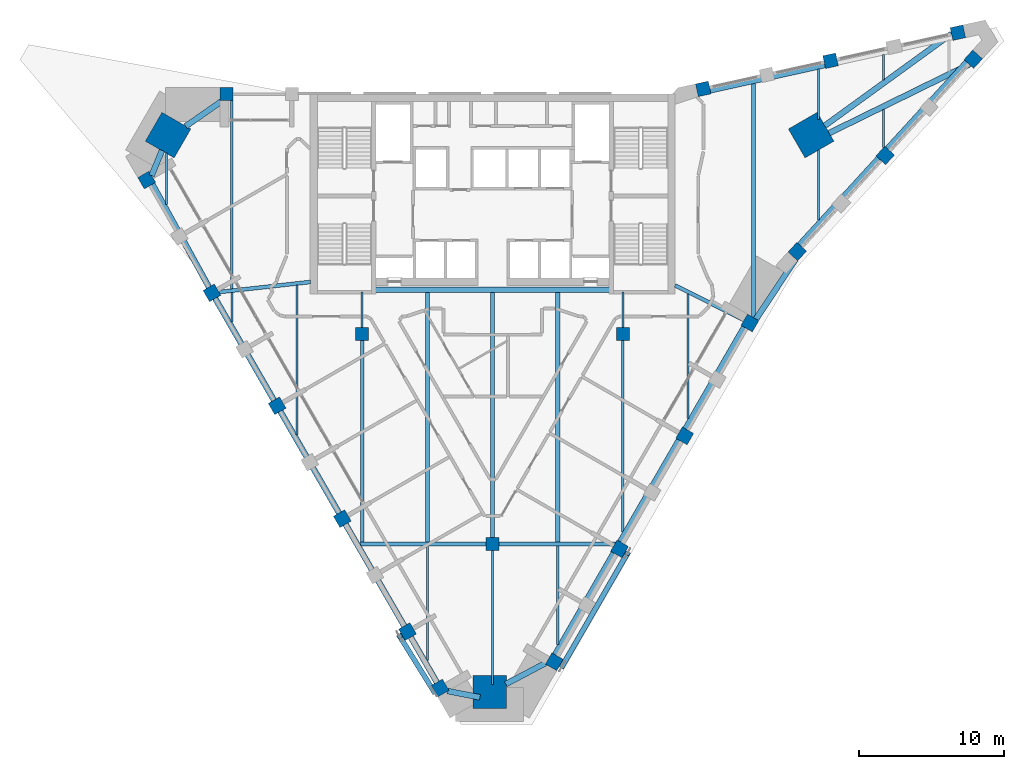
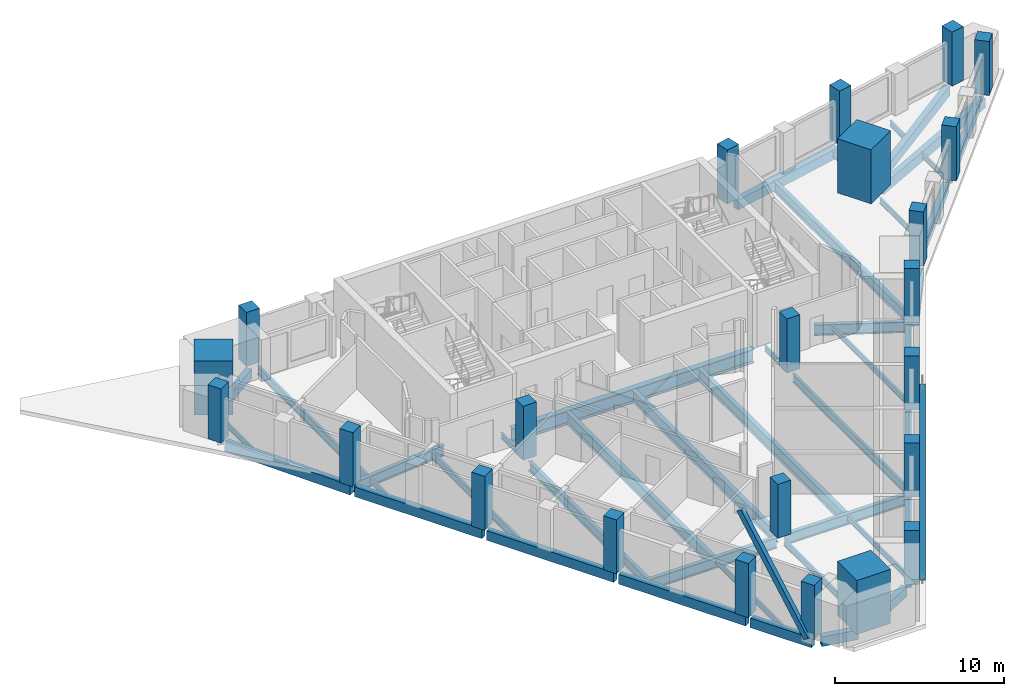
# One storey, part 1 of 9: 43 beams, 23 columns, 2 members.
"""IFC4 building model written with IfcOpenShell, lengths in metres."""

from ifc_helpers import new_model, si_unit, direction, frame, origin, origin_2d, place, context, subcontext, project, spatial, rectangle, hollow_rectangle, i_section, extrude, material, material_profile, profile_set, type_object, element, save


model = new_model("IFC4")

# Units and contexts
model_context = context("Model", 3, precision=1e-05, world=origin(), true_north=direction((0.0, 1.0)))
body_context = subcontext(model_context, "Body", "Model", "MODEL_VIEW")
ifc_project = project(units=[si_unit("LENGTHUNIT", "METRE"), si_unit("AREAUNIT", "SQUARE_METRE"), si_unit("VOLUMEUNIT", "CUBIC_METRE"), si_unit("PLANEANGLEUNIT", "RADIAN"), si_unit("MASSUNIT", "GRAM", prefix="KILO")], contexts=[model_context])

# Site, building, storey
site_placement = place(None, origin())
site = spatial("IfcSite", under=ifc_project, at=site_placement, CompositionType="ELEMENT")
building_placement = place(site_placement, origin())
building = spatial("IfcBuilding", under=site, at=building_placement, Name="Calabash Gate Tower", CompositionType="ELEMENT")
storey_placement = place(building_placement, frame((0.0, 0.0, 248.199951171875)))
storey = spatial("IfcBuildingStorey", under=building, at=storey_placement, Name="L59", CompositionType="ELEMENT", Elevation=248.199951171875)

# Columns
ifc_material_1 = material(Name="Concrete C60/75", Category="concrete")
ifc_material_profile_1 = material_profile(ifc_material_1, rectangle(XDim=0.89990234375, YDim=0.89990234375, at=origin_2d()))
ifc_profile_set_1 = profile_set([ifc_material_profile_1], Name="Concrete C60/75")
column_type_1 = type_object("IfcColumnType", Name="Interior column RC 900x900 Concrete C60/75", PredefinedType="COLUMN", material=ifc_profile_set_1)
for number, where, z_axis, x_axis, name in (
    (1, (-9.0, 2.5, 0.0), (0.0, 0.0, 1.0), (1.0, 0.0, 0.0), "Interior column L59 I0"),
    (2, (9.0, 2.5, 0.0), (0.0, 0.0, 1.0), (1.0, 0.0, 0.0), "Interior column L59 I1"),
    (3, (0.0, -12.0, 0.0), (0.0, 0.0, 1.0), (1.0, 0.0, 0.0), "Interior column L59 I2"),
):
    element("IfcColumn", number, at=place(storey_placement, frame(where, z_axis=z_axis, x_axis=x_axis)), inside=storey, type_object=column_type_1, Name=name, PredefinedType="COLUMN", context=body_context, shape_type="SweptSolid", body=[
        extrude(rectangle(XDim=0.89990234375, YDim=0.89990234375, at=origin_2d()), origin(), (0.0, 0.0, 1.0), 3.900146484375),
    ])
ifc_material_2 = material(Name="Concrete C60/75", Category="concrete")
ifc_material_profile_2 = material_profile(ifc_material_2, rectangle(XDim=2.300048828125, YDim=2.300048828125, at=origin_2d()))
ifc_profile_set_2 = profile_set([ifc_material_profile_2], Name="Concrete C60/75")
column_type_2 = type_object("IfcColumnType", Name="Mega column RC 2300x2300 Concrete C60/75", PredefinedType="COLUMN", material=ifc_profile_set_2)
for number, where, z_axis, x_axis, name in (
    (4, (-22.40087890625, 16.22998046875, 0.0), (0.0, 0.0, 1.0), (0.866025377604, -0.500000045345, 0.0), "Mega column L59 NW"),
    (5, (21.991943359375, 16.22998046875, 0.0), (0.0, 0.0, 1.0), (-0.866025377604, -0.500000045345, 0.0), "Mega column L59 NE"),
    (6, (-0.202880859375, -22.216064453125, 0.0), (0.0, 0.0, 1.0), (0.0, 1.0, 0.0), "Mega column L59 S"),
):
    element("IfcColumn", number, at=place(storey_placement, frame(where, z_axis=z_axis, x_axis=x_axis)), inside=storey, type_object=column_type_2, Name=name, PredefinedType="COLUMN", context=body_context, shape_type="SweptSolid", body=[
        extrude(rectangle(XDim=2.300048828125, YDim=2.300048828125, at=origin_2d()), origin(), (0.0, 0.0, 1.0), 3.900146484375),
    ])
ifc_material_3 = material(Name="Concrete C50/60", Category="concrete")
ifc_material_profile_3 = material_profile(ifc_material_3, rectangle(XDim=0.89990234375, YDim=0.89990234375, at=origin_2d()))
ifc_profile_set_3 = profile_set([ifc_material_profile_3], Name="Concrete C50/60")
column_type_3 = type_object("IfcColumnType", Name="Perimeter column RC 900x900 Concrete C50/60", PredefinedType="COLUMN", material=ifc_profile_set_3)
for number, where, z_axis, x_axis, name in (
    (7, (-23.873046875, 13.132080078125, 0.0), (0.0, 0.0, 1.0), (0.5, -0.866025403784, 0.0), "Perimeter column L59 P20"),
    (8, (-19.373046875, 5.337890625, 0.0), (0.0, 0.0, 1.0), (0.5, -0.866025403784, 0.0), "Perimeter column L59 P00"),
    (9, (-14.873046875, -2.4560546875, 0.0), (0.0, 0.0, 1.0), (0.5, -0.866025403784, 0.0), "Perimeter column L59 P01"),
    (10, (-10.373046875, -10.25, 0.0), (0.0, 0.0, 1.0), (0.5, -0.866025403784, 0.0), "Perimeter column L59 P02"),
    (11, (-5.873046875, -18.04296875, 0.0), (0.0, 0.0, 1.0), (0.5, -0.866025403784, 0.0), "Perimeter column L59 P03"),
    (12, (-3.623046875, -21.94189453125, 0.0), (0.0, 0.0, 1.0), (0.5, -0.866025403784, 0.0), "Perimeter column L59 P25"),
    (13, (4.262939453125, -20.1240234375, 0.0), (0.0, 0.0, 1.0), (0.5, 0.866025403784, 0.0), "Perimeter column L59 P08"),
    (14, (8.762939453125, -12.330078125, 0.0), (0.0, 0.0, 1.0), (0.5, 0.866025403784, 0.0), "Perimeter column L59 P09"),
    (15, (13.262939453125, -4.532958984375, 0.0), (0.0, 0.0, 1.0), (0.5, 0.866025403784, 0.0), "Perimeter column L59 P10"),
    (16, (17.762939453125, 3.259033203125, 0.0), (0.0, 0.0, 1.0), (0.5, 0.866025403784, 0.0), "Perimeter column L59 P11"),
    (17, (21.031005859375, 8.18701171875, 0.0), (0.0, 0.0, 1.0), (0.67485604152, 0.737949404244, 0.0), "Perimeter column L59 P12"),
    (18, (27.10400390625, 14.825927734375, 0.0), (0.0, 0.0, 1.0), (0.67485604152, 0.737949404244, 0.0), "Perimeter column L59 P36"),
    (19, (33.177978515625, 21.468017578125, 0.0), (0.0, 0.0, 1.0), (0.67485604152, 0.737949404244, 0.0), "Perimeter column L59 P37"),
    (20, (32.12109375, 23.298095703125, 0.0), (0.0, 0.0, 1.0), (-0.976510951543, -0.215467773731, 0.0), "Perimeter column L59 P38"),
    (21, (23.3330078125, 21.35888671875, 0.0), (0.0, 0.0, 1.0), (-0.976510951543, -0.215467773731, 0.0), "Perimeter column L59 P39"),
    (22, (14.5439453125, 19.4189453125, 0.0), (0.0, 0.0, 1.0), (-0.976510951543, -0.215467773731, 0.0), "Perimeter column L59 P40"),
    (23, (-18.35302734375, 19.052978515625, 0.0), (0.0, 0.0, 1.0), (-1.0, 0.0, 0.0), "Perimeter column L59 P31"),
):
    element("IfcColumn", number, at=place(storey_placement, frame(where, z_axis=z_axis, x_axis=x_axis)), inside=storey, type_object=column_type_3, Name=name, PredefinedType="COLUMN", context=body_context, shape_type="SweptSolid", body=[
        extrude(rectangle(XDim=0.89990234375, YDim=0.89990234375, at=origin_2d()), origin(), (0.0, 0.0, 1.0), 3.900146484375),
    ])

# Beams
ifc_material_4 = material(Name="Concrete C50/60", Category="concrete")
ifc_material_profile_4 = material_profile(ifc_material_4, rectangle(XDim=0.39990234375, YDim=0.699951171875, at=origin_2d()))
ifc_profile_set_4 = profile_set([ifc_material_profile_4], Name="Concrete C50/60")
beam_type_1 = type_object("IfcBeamType", Name="Edge beam RC 400x700 Concrete C50/60", PredefinedType="BEAM", material=ifc_profile_set_4)
beam_1_placement = place(storey_placement, frame((-14.657958984375, -2.827880859375, -0.52001953125), z_axis=(0.499941762793, -0.866059024441, 0.0), x_axis=(0.866059024441, 0.499941762793, 0.0)))
element("IfcBeam", 24, at=beam_1_placement, inside=storey, type_object=beam_type_1, Name="Edge beam L59 1", PredefinedType="BEAM", context=body_context, shape_type="SweptSolid", body=[
    extrude(rectangle(XDim=0.39990234375, YDim=0.699951171875, at=origin_2d()), origin(), (0.0, 0.0, 1.0), 8.6728515625),
])
beam_2_placement = place(storey_placement, frame((-10.157958984375, -10.623046875, -0.52001953125), z_axis=(0.500002710516, -0.866023838862, 0.0), x_axis=(0.866023838862, 0.500002710516, 0.0)))
element("IfcBeam", 25, at=beam_2_placement, inside=storey, type_object=beam_type_1, Name="Edge beam L59 2", PredefinedType="BEAM", context=body_context, shape_type="SweptSolid", body=[
    extrude(rectangle(XDim=0.39990234375, YDim=0.699951171875, at=origin_2d()), origin(), (0.0, 0.0, 1.0), 8.671875),
])
beam_3_placement = place(storey_placement, frame((-5.657958984375, -18.4169921875, -0.52001953125), z_axis=(0.499990930889, -0.866030639775, 0.0), x_axis=(0.866030639775, 0.499990930889, 0.0)))
element("IfcBeam", 26, at=beam_3_placement, inside=storey, type_object=beam_type_1, Name="Edge beam L59 3", PredefinedType="BEAM", context=body_context, shape_type="SweptSolid", body=[
    extrude(rectangle(XDim=0.39990234375, YDim=0.699951171875, at=origin_2d()), origin(), (0.0, 0.0, 1.0), 4.171875),
])
beam_4_placement = place(storey_placement, frame((-3.10009765625, -22.14599609375, -0.52001953125), z_axis=(0.981220485855, -0.192889497219, 0.0), x_axis=(0.192889497219, 0.981220485855, 0.0)))
element("IfcBeam", 27, at=beam_4_placement, inside=storey, type_object=beam_type_1, Name="Edge beam L59 4", PredefinedType="BEAM", context=body_context, shape_type="SweptSolid", body=[
    extrude(rectangle(XDim=0.39990234375, YDim=0.699951171875, at=origin_2d()), origin(), (0.0, 0.0, 1.0), 2.270751953125),
])
beam_5_placement = place(storey_placement, frame((0.909912109375, -21.669921875, -0.52001953125), z_axis=(0.884115260919, 0.467268879137, 0.0), x_axis=(-0.467268879137, 0.884115260919, 0.0)))
element("IfcBeam", 28, at=beam_5_placement, inside=storey, type_object=beam_type_1, Name="Edge beam L59 5", PredefinedType="BEAM", context=body_context, shape_type="SweptSolid", body=[
    extrude(rectangle(XDim=0.39990234375, YDim=0.699951171875, at=origin_2d()), origin(), (0.0, 0.0, 1.0), 3.19091796875),
])
beam_6_placement = place(storey_placement, frame((4.31689453125, -19.634033203125, -0.52001953125), z_axis=(0.499986829629, 0.866033007568, 0.0), x_axis=(-0.866033007568, 0.499986829629, 0.0)))
element("IfcBeam", 29, at=beam_6_placement, inside=storey, type_object=beam_type_1, Name="Edge beam L59 6", PredefinedType="BEAM", context=body_context, shape_type="SweptSolid", body=[
    extrude(rectangle(XDim=0.39990234375, YDim=0.699951171875, at=origin_2d()), origin(), (0.0, 0.0, 1.0), 8.100341796875),
])
beam_7_placement = place(storey_placement, frame((8.81689453125, -11.840087890625, -0.52001953125), z_axis=(0.499882442781, 0.866093264839, 0.0), x_axis=(-0.866093264839, 0.499882442781, 0.0)))
element("IfcBeam", 30, at=beam_7_placement, inside=storey, type_object=beam_type_1, Name="Edge beam L59 7", PredefinedType="BEAM", context=body_context, shape_type="SweptSolid", body=[
    extrude(rectangle(XDim=0.39990234375, YDim=0.699951171875, at=origin_2d()), origin(), (0.0, 0.0, 1.0), 8.10205078125),
])
beam_8_placement = place(storey_placement, frame((13.31689453125, -4.0458984375, -0.52001953125), z_axis=(0.499999880539, 0.866025472755, 0.0), x_axis=(-0.866025472755, 0.499999880539, 0.0)))
element("IfcBeam", 31, at=beam_8_placement, inside=storey, type_object=beam_type_1, Name="Edge beam L59 8", PredefinedType="BEAM", context=body_context, shape_type="SweptSolid", body=[
    extrude(rectangle(XDim=0.39990234375, YDim=0.699951171875, at=origin_2d()), origin(), (0.0, 0.0, 1.0), 8.10009765625),
])
beam_9_placement = place(storey_placement, frame((18.174072265625, 3.51611328125, -0.52001953125), z_axis=(0.552996304817, 0.833183705349, 0.0), x_axis=(-0.833183705349, 0.552996304817, 0.0)))
element("IfcBeam", 32, at=beam_9_placement, inside=storey, type_object=beam_type_1, Name="Edge beam L59 9", PredefinedType="BEAM", context=body_context, shape_type="SweptSolid", body=[
    extrude(rectangle(XDim=0.39990234375, YDim=0.699951171875, at=origin_2d()), origin(), (0.0, 0.0, 1.0), 4.996337890625),
])
beam_10_placement = place(storey_placement, frame((21.18701171875, 8.652099609375, -0.52001953125), z_axis=(0.674873802315, 0.737933161573, 0.0), x_axis=(-0.737933161573, 0.674873802315, 0.0)))
element("IfcBeam", 33, at=beam_10_placement, inside=storey, type_object=beam_type_1, Name="Edge beam L59 10", PredefinedType="BEAM", context=body_context, shape_type="SweptSolid", body=[
    extrude(rectangle(XDim=0.39990234375, YDim=0.699951171875, at=origin_2d()), origin(), (0.0, 0.0, 1.0), 8.099365234375),
])
beam_11_placement = place(storey_placement, frame((27.260009765625, 15.29296875, -0.52001953125), z_axis=(0.67486440312, 0.737941757459, 0.0), x_axis=(-0.737941757459, 0.67486440312, 0.0)))
element("IfcBeam", 34, at=beam_11_placement, inside=storey, type_object=beam_type_1, Name="Edge beam L59 11", PredefinedType="BEAM", context=body_context, shape_type="SweptSolid", body=[
    extrude(rectangle(XDim=0.39990234375, YDim=0.699951171875, at=origin_2d()), origin(), (0.0, 0.0, 1.0), 8.100830078125),
])
beam_12_placement = place(storey_placement, frame((32.922119140625, 21.1201171875, -0.52001953125), z_axis=(-0.897752470083, -0.44050028656, 0.0), x_axis=(0.44050028656, -0.897752470083, 0.0)))
element("IfcBeam", 35, at=beam_12_placement, inside=storey, type_object=beam_type_1, Name="Edge beam L59 12", PredefinedType="BEAM", context=body_context, shape_type="SweptSolid", body=[
    extrude(rectangle(XDim=0.39990234375, YDim=0.699951171875, at=origin_2d()), origin(), (0.0, 0.0, 1.0), 10.79931640625),
])
beam_13_placement = place(storey_placement, frame((22.923095703125, 16.87109375, -0.52001953125), z_axis=(0.809411988803, 0.587241204601, 0.0), x_axis=(-0.587241204601, 0.809411988803, 0.0)))
element("IfcBeam", 36, at=beam_13_placement, inside=storey, type_object=beam_type_1, Name="Edge beam L59 13", PredefinedType="BEAM", context=body_context, shape_type="SweptSolid", body=[
    extrude(rectangle(XDim=0.39990234375, YDim=0.699951171875, at=origin_2d()), origin(), (0.0, 0.0, 1.0), 10.84716796875),
])
beam_14_placement = place(storey_placement, frame((22.93603515625, 21.06591796875, -0.52001953125), z_axis=(-0.976517152373, -0.215439669332, 0.0), x_axis=(0.215439669332, -0.976517152373, 0.0)))
element("IfcBeam", 37, at=beam_14_placement, inside=storey, type_object=beam_type_1, Name="Edge beam L59 15", PredefinedType="BEAM", context=body_context, shape_type="SweptSolid", body=[
    extrude(rectangle(XDim=0.39990234375, YDim=0.699951171875, at=origin_2d()), origin(), (0.0, 0.0, 1.0), 8.09912109375),
])
beam_15_placement = place(storey_placement, frame((-18.6259765625, 18.62109375, -0.52001953125), z_axis=(-0.820584107688, -0.571525784379, 0.0), x_axis=(0.571525784379, -0.820584107688, 0.0)))
element("IfcBeam", 38, at=beam_15_placement, inside=storey, type_object=beam_type_1, Name="Edge beam L59 16", PredefinedType="BEAM", context=body_context, shape_type="SweptSolid", body=[
    extrude(rectangle(XDim=0.39990234375, YDim=0.699951171875, at=origin_2d()), origin(), (0.0, 0.0, 1.0), 3.1162109375),
])
beam_16_placement = place(storey_placement, frame((-22.821044921875, 15.177001953125, -0.52001953125), z_axis=(-0.37851203494, -0.925596369594, 0.0), x_axis=(0.925596369594, -0.37851203494, 0.0)))
element("IfcBeam", 39, at=beam_16_placement, inside=storey, type_object=beam_type_1, Name="Edge beam L59 17", PredefinedType="BEAM", context=body_context, shape_type="SweptSolid", body=[
    extrude(rectangle(XDim=0.39990234375, YDim=0.699951171875, at=origin_2d()), origin(), (0.0, 0.0, 1.0), 1.888671875),
])
beam_17_placement = place(storey_placement, frame((-23.493896484375, 12.85693359375, -0.52001953125), z_axis=(0.481451483575, -0.876472742853, 0.0), x_axis=(0.876472742853, 0.481451483575, 0.0)))
element("IfcBeam", 40, at=beam_17_placement, inside=storey, type_object=beam_type_1, Name="Edge beam L59 18", PredefinedType="BEAM", context=body_context, shape_type="SweptSolid", body=[
    extrude(rectangle(XDim=0.39990234375, YDim=0.699951171875, at=origin_2d()), origin(), (0.0, 0.0, 1.0), 8.68603515625),
])
beam_18_placement = place(storey_placement, frame((-19.157958984375, 4.966064453125, -0.52001953125), z_axis=(0.500051477612, -0.865995681132, 0.0), x_axis=(0.865995681132, 0.500051477612, 0.0)))
element("IfcBeam", 41, at=beam_18_placement, inside=storey, type_object=beam_type_1, Name="Edge beam L59 19", PredefinedType="BEAM", context=body_context, shape_type="SweptSolid", body=[
    extrude(rectangle(XDim=0.39990234375, YDim=0.699951171875, at=origin_2d()), origin(), (0.0, 0.0, 1.0), 8.6708984375),
])
ifc_material_5 = material(Name="Steel ASTM A992 Gr50", Category="steel")
ifc_material_profile_5 = material_profile(ifc_material_5, i_section(OverallWidth=0.1396484375, OverallDepth=0.398681640625, WebThickness=0.00634765625, FlangeThickness=0.0087890625, FilletRadius=0.01025390625, at=origin_2d()))
ifc_profile_set_5 = profile_set([ifc_material_profile_5], Name="Steel ASTM A992 Gr50")
beam_type_2 = type_object("IfcBeamType", Name="Floor beam W16x26 ASTM A992 Gr50", PredefinedType="BEAM", material=ifc_profile_set_5)
beam_19_placement = place(storey_placement, frame((-22.5, 11.431884765625, -0.368896484375), z_axis=(0.0, 1.0, 0.0), x_axis=(-1.0, 0.0, 0.0)))
element("IfcBeam", 42, at=beam_19_placement, inside=storey, type_object=beam_type_2, Name="Floor beam L59 1", PredefinedType="BEAM", context=body_context, shape_type="SweptSolid", body=[
    extrude(i_section(OverallWidth=0.1396484375, OverallDepth=0.398681640625, WebThickness=0.00634765625, FlangeThickness=0.0087890625, FilletRadius=0.01025390625, at=origin_2d()), origin(), (0.0, 0.0, 1.0), 3.550048828125),
])
beam_20_placement = place(storey_placement, frame((-18.0, 3.327880859375, -0.368896484375), z_axis=(0.0, 1.0, 0.0), x_axis=(-1.0, 0.0, 0.0)))
element("IfcBeam", 43, at=beam_20_placement, inside=storey, type_object=beam_type_2, Name="Floor beam L59 2", PredefinedType="BEAM", context=body_context, shape_type="SweptSolid", body=[
    extrude(i_section(OverallWidth=0.1396484375, OverallDepth=0.398681640625, WebThickness=0.00634765625, FlangeThickness=0.0087890625, FilletRadius=0.01025390625, at=origin_2d()), origin(), (0.0, 0.0, 1.0), 2.050048828125),
])
beam_21_placement = place(storey_placement, frame((-9.0, 2.949951171875, -0.368896484375), z_axis=(0.0, 1.0, 0.0), x_axis=(-1.0, 0.0, 0.0)))
element("IfcBeam", 44, at=beam_21_placement, inside=storey, type_object=beam_type_2, Name="Floor beam L59 6", PredefinedType="BEAM", context=body_context, shape_type="SweptSolid", body=[
    extrude(i_section(OverallWidth=0.1396484375, OverallDepth=0.398681640625, WebThickness=0.00634765625, FlangeThickness=0.0087890625, FilletRadius=0.01025390625, at=origin_2d()), origin(), (0.0, 0.0, 1.0), 2.453125),
])
beam_22_placement = place(storey_placement, frame((-4.5, -20.053955078125, -0.368896484375), z_axis=(0.0, 1.0, 0.0), x_axis=(-1.0, 0.0, 0.0)))
element("IfcBeam", 45, at=beam_22_placement, inside=storey, type_object=beam_type_2, Name="Floor beam L59 7", PredefinedType="BEAM", context=body_context, shape_type="SweptSolid", body=[
    extrude(i_section(OverallWidth=0.1396484375, OverallDepth=0.398681640625, WebThickness=0.00634765625, FlangeThickness=0.0087890625, FilletRadius=0.01025390625, at=origin_2d()), origin(), (0.0, 0.0, 1.0), 7.9208984375),
])
beam_23_placement = place(storey_placement, frame((4.5, -18.943115234375, -0.368896484375), z_axis=(0.0, 1.0, 0.0), x_axis=(-1.0, 0.0, 0.0)))
element("IfcBeam", 46, at=beam_23_placement, inside=storey, type_object=beam_type_2, Name="Floor beam L59 11", PredefinedType="BEAM", context=body_context, shape_type="SweptSolid", body=[
    extrude(i_section(OverallWidth=0.1396484375, OverallDepth=0.398681640625, WebThickness=0.00634765625, FlangeThickness=0.0087890625, FilletRadius=0.01025390625, at=origin_2d()), origin(), (0.0, 0.0, 1.0), 6.81005859375),
])
beam_24_placement = place(storey_placement, frame((9.0, 2.949951171875, -0.368896484375), z_axis=(0.0, 1.0, 0.0), x_axis=(-1.0, 0.0, 0.0)))
element("IfcBeam", 47, at=beam_24_placement, inside=storey, type_object=beam_type_2, Name="Floor beam L59 14", PredefinedType="BEAM", context=body_context, shape_type="SweptSolid", body=[
    extrude(i_section(OverallWidth=0.1396484375, OverallDepth=0.398681640625, WebThickness=0.00634765625, FlangeThickness=0.0087890625, FilletRadius=0.01025390625, at=origin_2d()), origin(), (0.0, 0.0, 1.0), 2.453125),
])
beam_25_placement = place(storey_placement, frame((13.5, -3.3369140625, -0.368896484375), z_axis=(0.0, 1.0, 0.0), x_axis=(-1.0, 0.0, 0.0)))
element("IfcBeam", 48, at=beam_25_placement, inside=storey, type_object=beam_type_2, Name="Floor beam L59 15", PredefinedType="BEAM", context=body_context, shape_type="SweptSolid", body=[
    extrude(i_section(OverallWidth=0.1396484375, OverallDepth=0.398681640625, WebThickness=0.00634765625, FlangeThickness=0.0087890625, FilletRadius=0.01025390625, at=origin_2d()), origin(), (0.0, 0.0, 1.0), 8.60888671875),
])
beam_26_placement = place(storey_placement, frame((22.5, 10.3720703125, -0.368896484375), z_axis=(0.0, 1.0, 0.0), x_axis=(-1.0, 0.0, 0.0)))
element("IfcBeam", 49, at=beam_26_placement, inside=storey, type_object=beam_type_2, Name="Floor beam L59 17", PredefinedType="BEAM", context=body_context, shape_type="SweptSolid", body=[
    extrude(i_section(OverallWidth=0.1396484375, OverallDepth=0.398681640625, WebThickness=0.00634765625, FlangeThickness=0.0087890625, FilletRadius=0.01025390625, at=origin_2d()), origin(), (0.0, 0.0, 1.0), 4.842041015625),
])
beam_27_placement = place(storey_placement, frame((22.5, 17.2900390625, -0.368896484375), z_axis=(0.0, 1.0, 0.0), x_axis=(-1.0, 0.0, 0.0)))
element("IfcBeam", 50, at=beam_27_placement, inside=storey, type_object=beam_type_2, Name="Floor beam L59 18", PredefinedType="BEAM", context=body_context, shape_type="SweptSolid", body=[
    extrude(i_section(OverallWidth=0.1396484375, OverallDepth=0.398681640625, WebThickness=0.00634765625, FlangeThickness=0.0087890625, FilletRadius=0.01025390625, at=origin_2d()), origin(), (0.0, 0.0, 1.0), 3.507080078125),
])
beam_28_placement = place(storey_placement, frame((27.0, 15.35693359375, -0.368896484375), z_axis=(0.0, 1.0, 0.0), x_axis=(-1.0, 0.0, 0.0)))
element("IfcBeam", 51, at=beam_28_placement, inside=storey, type_object=beam_type_2, Name="Floor beam L59 19", PredefinedType="BEAM", context=body_context, shape_type="SweptSolid", body=[
    extrude(i_section(OverallWidth=0.1396484375, OverallDepth=0.398681640625, WebThickness=0.00634765625, FlangeThickness=0.0087890625, FilletRadius=0.01025390625, at=origin_2d()), origin(), (0.0, 0.0, 1.0), 2.656982421875),
])
beam_29_placement = place(storey_placement, frame((27.0, 20.0439453125, -0.368896484375), z_axis=(0.0, 1.0, 0.0), x_axis=(-1.0, 0.0, 0.0)))
element("IfcBeam", 52, at=beam_29_placement, inside=storey, type_object=beam_type_2, Name="Floor beam L59 20", PredefinedType="BEAM", context=body_context, shape_type="SweptSolid", body=[
    extrude(i_section(OverallWidth=0.1396484375, OverallDepth=0.398681640625, WebThickness=0.00634765625, FlangeThickness=0.0087890625, FilletRadius=0.01025390625, at=origin_2d()), origin(), (0.0, 0.0, 1.0), 1.74609375),
])
ifc_material_6 = material(Name="Steel ASTM A992 Gr50", Category="steel")
ifc_material_profile_6 = material_profile(ifc_material_6, i_section(OverallWidth=0.15234375, OverallDepth=0.44970703125, WebThickness=0.007568359375, FlangeThickness=0.0107421875, FilletRadius=0.01025390625, at=origin_2d()))
ifc_profile_set_6 = profile_set([ifc_material_profile_6], Name="Steel ASTM A992 Gr50")
beam_type_3 = type_object("IfcBeamType", Name="Floor beam W18x35 ASTM A992 Gr50", PredefinedType="BEAM", material=ifc_profile_set_6)
beam_30_placement = place(storey_placement, frame((0.0, -21.677978515625, -0.39306640625), z_axis=(0.0, 1.0, 0.0), x_axis=(-1.0, 0.0, 0.0)))
element("IfcBeam", 53, at=beam_30_placement, inside=storey, type_object=beam_type_3, Name="Floor beam L59 9", PredefinedType="BEAM", context=body_context, shape_type="SweptSolid", body=[
    extrude(i_section(OverallWidth=0.15234375, OverallDepth=0.44970703125, WebThickness=0.007568359375, FlangeThickness=0.0107421875, FilletRadius=0.01025390625, at=origin_2d()), origin(), (0.0, 0.0, 1.0), 9.22802734375),
])
ifc_material_7 = material(Name="Steel ASTM A992 Gr50", Category="steel")
ifc_material_profile_7 = material_profile(ifc_material_7, i_section(OverallWidth=0.166015625, OverallDepth=0.5283203125, WebThickness=0.009765625, FlangeThickness=0.013671875, FilletRadius=0.0126953125, at=origin_2d()))
ifc_profile_set_7 = profile_set([ifc_material_profile_7], Name="Steel ASTM A992 Gr50")
beam_type_4 = type_object("IfcBeamType", Name="Floor beam W21x50 ASTM A992 Gr50", PredefinedType="BEAM", material=ifc_profile_set_7)
beam_31_placement = place(storey_placement, frame((-13.5, -4.466064453125, -0.433837890625), z_axis=(0.0, 1.0, 0.0), x_axis=(-1.0, 0.0, 0.0)))
element("IfcBeam", 54, at=beam_31_placement, inside=storey, type_object=beam_type_4, Name="Floor beam L59 4", PredefinedType="BEAM", context=body_context, shape_type="SweptSolid", body=[
    extrude(i_section(OverallWidth=0.166015625, OverallDepth=0.5283203125, WebThickness=0.009765625, FlangeThickness=0.013671875, FilletRadius=0.0126953125, at=origin_2d()), origin(), (0.0, 0.0, 1.0), 10.343017578125),
])
ifc_material_8 = material(Name="Steel ASTM A992 Gr50", Category="steel")
ifc_material_profile_8 = material_profile(ifc_material_8, i_section(OverallWidth=0.1787109375, OverallDepth=0.60205078125, WebThickness=0.010986328125, FlangeThickness=0.014892578125, FilletRadius=0.0126953125, at=origin_2d()))
ifc_profile_set_8 = profile_set([ifc_material_profile_8], Name="Steel ASTM A992 Gr50")
beam_type_5 = type_object("IfcBeamType", Name="Floor beam W24x62 ASTM A992 Gr50", PredefinedType="BEAM", material=ifc_profile_set_8)
beam_32_placement = place(storey_placement, frame((-18.0, 5.60205078125, -0.470947265625), z_axis=(0.0, 1.0, 0.0), x_axis=(-1.0, 0.0, 0.0)))
element("IfcBeam", 55, at=beam_32_placement, inside=storey, type_object=beam_type_5, Name="Floor beam L59 3", PredefinedType="BEAM", context=body_context, shape_type="SweptSolid", body=[
    extrude(i_section(OverallWidth=0.1787109375, OverallDepth=0.60205078125, WebThickness=0.010986328125, FlangeThickness=0.014892578125, FilletRadius=0.0126953125, at=origin_2d()), origin(), (0.0, 0.0, 1.0), 13.0009765625),
])
beam_33_placement = place(storey_placement, frame((9.0, -11.15087890625, -0.470947265625), z_axis=(0.0, 1.0, 0.0), x_axis=(-1.0, 0.0, 0.0)))
element("IfcBeam", 56, at=beam_33_placement, inside=storey, type_object=beam_type_5, Name="Floor beam L59 13", PredefinedType="BEAM", context=body_context, shape_type="SweptSolid", body=[
    extrude(i_section(OverallWidth=0.1787109375, OverallDepth=0.60205078125, WebThickness=0.010986328125, FlangeThickness=0.014892578125, FilletRadius=0.0126953125, at=origin_2d()), origin(), (0.0, 0.0, 1.0), 13.200927734375),
])
ifc_material_9 = material(Name="Steel ASTM A992 Gr50", Category="steel")
ifc_material_profile_9 = material_profile(ifc_material_9, i_section(OverallWidth=0.25390625, OverallDepth=0.67822265625, WebThickness=0.01171875, FlangeThickness=0.016357421875, FilletRadius=0.01513671875, at=origin_2d()))
ifc_profile_set_9 = profile_set([ifc_material_profile_9], Name="Steel ASTM A992 Gr50")
beam_type_6 = type_object("IfcBeamType", Name="Floor beam W27x84 ASTM A992 Gr50", PredefinedType="BEAM", material=ifc_profile_set_9)
beam_34_placement = place(storey_placement, frame((-9.0, -11.8798828125, -0.509033203125), z_axis=(0.0, 1.0, 0.0), x_axis=(-1.0, 0.0, 0.0)))
element("IfcBeam", 57, at=beam_34_placement, inside=storey, type_object=beam_type_6, Name="Floor beam L59 5", PredefinedType="BEAM", context=body_context, shape_type="SweptSolid", body=[
    extrude(i_section(OverallWidth=0.25390625, OverallDepth=0.67822265625, WebThickness=0.01171875, FlangeThickness=0.016357421875, FilletRadius=0.01513671875, at=origin_2d()), origin(), (0.0, 0.0, 1.0), 13.929931640625),
])
ifc_material_10 = material(Name="Steel ASTM A992 Gr50", Category="steel")
ifc_material_profile_10 = material_profile(ifc_material_10, i_section(OverallWidth=0.2666015625, OverallDepth=0.7568359375, WebThickness=0.013916015625, FlangeThickness=0.019287109375, FilletRadius=0.0166015625, at=origin_2d()))
ifc_profile_set_10 = profile_set([ifc_material_profile_10], Name="Steel ASTM A992 Gr50")
beam_type_7 = type_object("IfcBeamType", Name="Floor beam W30x108 ASTM A992 Gr50", PredefinedType="BEAM", material=ifc_profile_set_10)
beam_35_placement = place(storey_placement, frame((18.0, 3.616943359375, -0.5478515625), z_axis=(0.0, 1.0, 0.0), x_axis=(-1.0, 0.0, 0.0)))
element("IfcBeam", 58, at=beam_35_placement, inside=storey, type_object=beam_type_7, Name="Floor beam L59 16", PredefinedType="BEAM", context=body_context, shape_type="SweptSolid", body=[
    extrude(i_section(OverallWidth=0.2666015625, OverallDepth=0.7568359375, WebThickness=0.013916015625, FlangeThickness=0.019287109375, FilletRadius=0.0166015625, at=origin_2d()), origin(), (0.0, 0.0, 1.0), 16.18701171875),
])
ifc_material_11 = material(Name="Steel ASTM A992 Gr50", Category="steel")
ifc_material_profile_11 = material_profile(ifc_material_11, i_section(OverallWidth=0.2919921875, OverallDepth=0.845703125, WebThickness=0.015380859375, FlangeThickness=0.0244140625, FilletRadius=0.017822265625, at=origin_2d()))
ifc_profile_set_11 = profile_set([ifc_material_profile_11], Name="Steel ASTM A992 Gr50")
beam_type_8 = type_object("IfcBeamType", Name="Floor beam W33x141 ASTM A992 Gr50", PredefinedType="BEAM", material=ifc_profile_set_11)
beam_36_placement = place(storey_placement, frame((-4.5, -11.866943359375, -0.593017578125), z_axis=(0.0, 1.0, 0.0), x_axis=(-1.0, 0.0, 0.0)))
element("IfcBeam", 59, at=beam_36_placement, inside=storey, type_object=beam_type_8, Name="Floor beam L59 8", PredefinedType="BEAM", context=body_context, shape_type="SweptSolid", body=[
    extrude(i_section(OverallWidth=0.2919921875, OverallDepth=0.845703125, WebThickness=0.015380859375, FlangeThickness=0.0244140625, FilletRadius=0.017822265625, at=origin_2d()), origin(), (0.0, 0.0, 1.0), 17.218994140625),
])
beam_37_placement = place(storey_placement, frame((0.0, -11.550048828125, -0.593017578125), z_axis=(0.0, 1.0, 0.0), x_axis=(-1.0, 0.0, 0.0)))
element("IfcBeam", 60, at=beam_37_placement, inside=storey, type_object=beam_type_8, Name="Floor beam L59 10", PredefinedType="BEAM", context=body_context, shape_type="SweptSolid", body=[
    extrude(i_section(OverallWidth=0.2919921875, OverallDepth=0.845703125, WebThickness=0.015380859375, FlangeThickness=0.0244140625, FilletRadius=0.017822265625, at=origin_2d()), origin(), (0.0, 0.0, 1.0), 16.902099609375),
])
beam_38_placement = place(storey_placement, frame((4.5, -11.866943359375, -0.593017578125), z_axis=(0.0, 1.0, 0.0), x_axis=(-1.0, 0.0, 0.0)))
element("IfcBeam", 61, at=beam_38_placement, inside=storey, type_object=beam_type_8, Name="Floor beam L59 12", PredefinedType="BEAM", context=body_context, shape_type="SweptSolid", body=[
    extrude(i_section(OverallWidth=0.2919921875, OverallDepth=0.845703125, WebThickness=0.015380859375, FlangeThickness=0.0244140625, FilletRadius=0.017822265625, at=origin_2d()), origin(), (0.0, 0.0, 1.0), 17.218994140625),
])
ifc_material_12 = material(Name="Steel ASTM A992 Gr50", Category="steel")
ifc_material_profile_12 = material_profile(ifc_material_12, i_section(OverallWidth=0.2666015625, OverallDepth=0.77978515625, WebThickness=0.0166015625, FlangeThickness=0.030029296875, FilletRadius=0.0166015625, at=origin_2d()))
ifc_profile_set_12 = profile_set([ifc_material_profile_12], Name="Steel ASTM A992 Gr50")
beam_type_9 = type_object("IfcBeamType", Name="Girder W30x148 ASTM A992 Gr50", PredefinedType="BEAM", material=ifc_profile_set_12)
beam_39_placement = place(storey_placement, frame((-19.0830078125, 5.3701171875, -0.56005859375), z_axis=(0.993948970535, 0.109842814844, 0.0), x_axis=(-0.109842814844, 0.993948970535, 0.0)))
element("IfcBeam", 62, at=beam_39_placement, inside=storey, type_object=beam_type_9, Name="Girder L59 2", PredefinedType="BEAM", context=body_context, shape_type="SweptSolid", body=[
    extrude(i_section(OverallWidth=0.2666015625, OverallDepth=0.77978515625, WebThickness=0.0166015625, FlangeThickness=0.030029296875, FilletRadius=0.0166015625, at=origin_2d()), origin(), (0.0, 0.0, 1.0), 6.554443359375),
])
beam_40_placement = place(storey_placement, frame((17.541015625, 3.37109375, -0.56005859375), z_axis=(-0.893711114491, 0.448642891211, 0.0), x_axis=(-0.448642891211, -0.893711114491, 0.0)))
element("IfcBeam", 63, at=beam_40_placement, inside=storey, type_object=beam_type_9, Name="Girder L59 3", PredefinedType="BEAM", context=body_context, shape_type="SweptSolid", body=[
    extrude(i_section(OverallWidth=0.2666015625, OverallDepth=0.77978515625, WebThickness=0.0166015625, FlangeThickness=0.030029296875, FilletRadius=0.0166015625, at=origin_2d()), origin(), (0.0, 0.0, 1.0), 5.531982421875),
])
beam_41_placement = place(storey_placement, frame((-9.153076171875, -12.0, -0.56005859375), z_axis=(1.0, 0.0, 0.0), x_axis=(0.0, 1.0, 0.0)))
element("IfcBeam", 64, at=beam_41_placement, inside=storey, type_object=beam_type_9, Name="Girder L59 4", PredefinedType="BEAM", context=body_context, shape_type="SweptSolid", body=[
    extrude(i_section(OverallWidth=0.2666015625, OverallDepth=0.77978515625, WebThickness=0.0166015625, FlangeThickness=0.030029296875, FilletRadius=0.0166015625, at=origin_2d()), origin(), (0.0, 0.0, 1.0), 8.883056640625),
])
beam_42_placement = place(storey_placement, frame((0.27001953125, -12.0, -0.56005859375), z_axis=(1.0, 0.0, 0.0), x_axis=(0.0, 1.0, 0.0)))
element("IfcBeam", 65, at=beam_42_placement, inside=storey, type_object=beam_type_9, Name="Girder L59 5", PredefinedType="BEAM", context=body_context, shape_type="SweptSolid", body=[
    extrude(i_section(OverallWidth=0.2666015625, OverallDepth=0.77978515625, WebThickness=0.0166015625, FlangeThickness=0.030029296875, FilletRadius=0.0166015625, at=origin_2d()), origin(), (0.0, 0.0, 1.0), 8.3759765625),
])
ifc_material_13 = material(Name="Steel ASTM A992 Gr50", Category="steel")
ifc_material_profile_13 = material_profile(ifc_material_13, i_section(OverallWidth=0.4013671875, OverallDepth=1.000732421875, WebThickness=0.01904296875, FlangeThickness=0.0361328125, FilletRadius=0.030029296875, at=origin_2d()))
ifc_profile_set_13 = profile_set([ifc_material_profile_13], Name="Steel ASTM A992 Gr50")
beam_type_10 = type_object("IfcBeamType", Name="Girder W40x249 ASTM A992 Gr50", PredefinedType="BEAM", material=ifc_profile_set_13)
beam_43_placement = place(storey_placement, frame((-8.25, 5.552978515625, -0.669921875), z_axis=(1.0, 0.0, 0.0), x_axis=(0.0, 1.0, 0.0)))
element("IfcBeam", 66, at=beam_43_placement, inside=storey, type_object=beam_type_10, Name="Girder L59 1", PredefinedType="BEAM", context=body_context, shape_type="SweptSolid", body=[
    extrude(i_section(OverallWidth=0.4013671875, OverallDepth=1.000732421875, WebThickness=0.01904296875, FlangeThickness=0.0361328125, FilletRadius=0.030029296875, at=origin_2d()), origin(), (0.0, 0.0, 1.0), 16.5),
])

# Members
ifc_material_14 = material(Name="Steel ASTM A500 Gr C", Category="steel")
ifc_material_profile_14 = material_profile(ifc_material_14, hollow_rectangle(XDim=0.355712890625, YDim=0.355712890625, WallThickness=0.015869140625, at=origin_2d()))
ifc_profile_set_14 = profile_set([ifc_material_profile_14], Name="Steel ASTM A500 Gr C")
member_type = type_object("IfcMemberType", Name="Mega-brace HSS14X14X.625 ASTM A500 Gr C", PredefinedType="BRACE", material=ifc_profile_set_14)
member_1_placement = place(storey_placement, frame((-4.0419921875, -22.18408203125, 0.0), z_axis=(-0.263650706155, 0.424752510255, 0.866067901597), x_axis=(-0.849630112563, -0.527379058957, 0.0)))
element("IfcMember", 67, at=member_1_placement, inside=storey, type_object=member_type, Name="Mega-brace SW Z5 37", PredefinedType="BRACE", context=body_context, shape_type="SweptSolid", body=[
    extrude(hollow_rectangle(XDim=0.355712890625, YDim=0.355712890625, WallThickness=0.015869140625, at=origin_2d()), origin(), (0.0, 0.0, 1.0), 9.00634765625),
])
member_2_placement = place(storey_placement, frame((4.806640625, -20.437744140625, 0.0), z_axis=(0.37783927133, 0.654454024331, 0.654925503457), x_axis=(-0.866031096941, 0.499990139034, 0.0)))
element("IfcMember", 68, at=member_2_placement, inside=storey, type_object=member_type, Name="Mega-brace SE Z5 42", PredefinedType="BRACE", context=body_context, shape_type="SweptSolid", body=[
    extrude(hollow_rectangle(XDim=0.355712890625, YDim=0.355712890625, WallThickness=0.015869140625, at=origin_2d()), origin(), (0.0, 0.0, 1.0), 11.909912109375),
])

save(model, "model.ifc")
